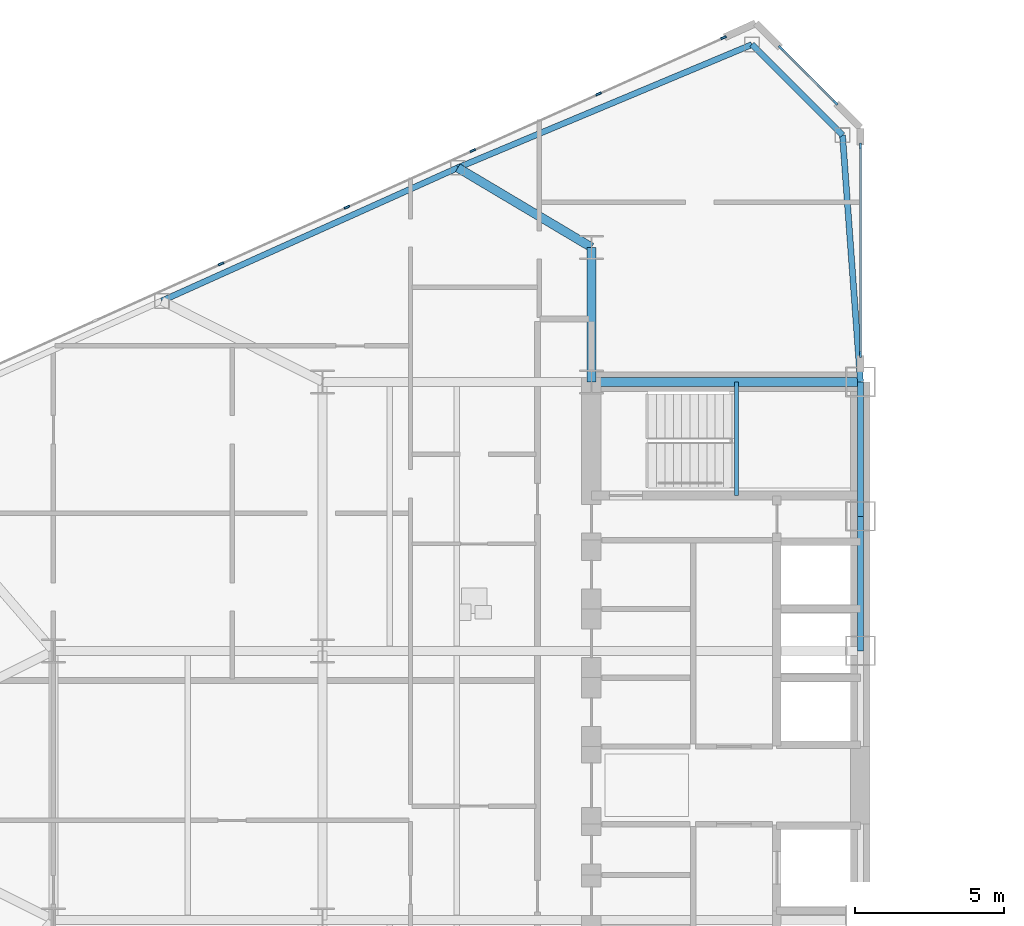
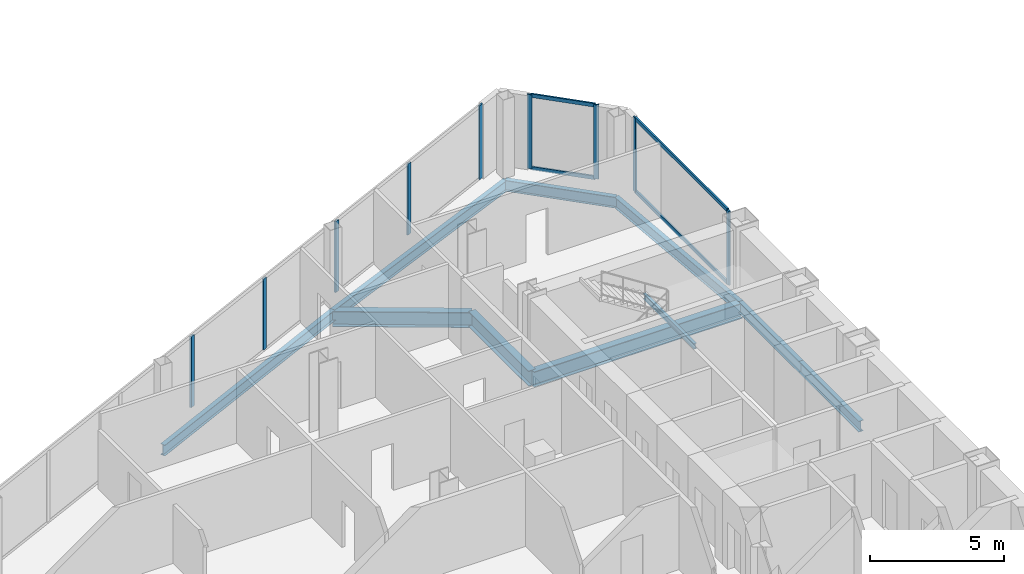
# One storey, part 9 of 27: 13 members, 10 beams, 3 elements without a shape of their own.
"""IFC4 building model written with IfcOpenShell, lengths in metres."""

from ifc_helpers import new_model, si_unit, direction, frame, origin, origin_2d, place, context, subcontext, project, spatial, rectangle, i_section, extrude, source, transform, mapped, material, layer, layer_set, material_profile, profile_set, type_object, type_shapes, element, aggregate, save


model = new_model("IFC4")

# Units and contexts
model_context = context("Model", 3, precision=1e-05, world=origin(), true_north=direction((0.0, 1.0)))
body_context = subcontext(model_context, "Body", "Model", "MODEL_VIEW")
ifc_project = project(units=[si_unit("LENGTHUNIT", "METRE"), si_unit("AREAUNIT", "SQUARE_METRE"), si_unit("VOLUMEUNIT", "CUBIC_METRE"), si_unit("PLANEANGLEUNIT", "RADIAN"), si_unit("MASSUNIT", "GRAM", prefix="KILO")], contexts=[model_context])

# Site, building, storey
site_placement = place(None, origin())
site = spatial("IfcSite", under=ifc_project, at=site_placement, CompositionType="ELEMENT")
building_placement = place(site_placement, origin())
building = spatial("IfcBuilding", under=site, at=building_placement, Name="Seokmaru Belvedere", CompositionType="ELEMENT")
storey_placement = place(building_placement, frame((0.0, 0.0, 103.199951171875)))
storey = spatial("IfcBuildingStorey", under=building, at=storey_placement, Name="L27", CompositionType="ELEMENT", Elevation=103.199951171875)

# Beams
ifc_material_1 = material(Name="Steel SM355 (355 MPa)", Category="steel")
ifc_material_profile_1 = material_profile(ifc_material_1, i_section(OverallWidth=0.199951171875, OverallDepth=0.5, WebThickness=0.010009765625, FlangeThickness=0.01611328125, at=origin_2d()), Name="H-500x200x10x16")
ifc_profile_set_1 = profile_set([ifc_material_profile_1], Name="Steel SM355 (355 MPa)")
beam_type_1 = type_object("IfcBeamType", Name="Perimeter Spandrel Beam H-500", PredefinedType="SPANDREL", material=ifc_profile_set_1)
shared_shape_1 = source(origin(), body_context, "Body", "SweptSolid", [
    extrude(i_section(OverallWidth=0.199951171875, OverallDepth=0.5, WebThickness=0.010009765625, FlangeThickness=0.01611328125, at=origin_2d()), origin(), (0.0, 0.0, 1.0), 4.5),
])
for number, where, z_axis, x_axis, name in (
    (1, (-27.5, 4.5, -0.469970703125), (0.0, 1.0, 0.0), (-1.0, 0.0, 0.0), "L27 W Portal Spine Spandrel 4"),
    (2, (-27.5, 9.0, -0.469970703125), (0.0, 1.0, 0.0), (-1.0, 0.0, 0.0), "L27 W Portal Spine Spandrel 5"),
):
    element("IfcBeam", number, at=place(storey_placement, frame(where, z_axis=z_axis, x_axis=x_axis)), inside=storey, type_object=beam_type_1, Name=name, PredefinedType="SPANDREL", context=body_context, shape_type="MappedRepresentation", body=[
        mapped(shared_shape_1, transform((0.0, 0.0, 0.0), scale=1.0)),
    ])
ifc_material_profile_2 = material_profile(ifc_material_1, i_section(OverallWidth=0.300048828125, OverallDepth=0.699951171875, WebThickness=0.012939453125, FlangeThickness=0.02392578125, at=origin_2d()), Name="H-700x300x13x24")
ifc_profile_set_2 = profile_set([ifc_material_profile_2], Name="Steel SM355 (355 MPa)")
beam_type_2 = type_object("IfcBeamType", Name="Primary Floor Girder H-700", PredefinedType="BEAM", material=ifc_profile_set_2)
shared_shape_2 = source(origin(), body_context, "Body", "SweptSolid", [
    extrude(i_section(OverallWidth=0.300048828125, OverallDepth=0.699951171875, WebThickness=0.012939453125, FlangeThickness=0.02392578125, at=origin_2d()), origin(), (0.0, 0.0, 1.0), 4.5),
])
beam_1_placement = place(storey_placement, frame((-36.5, 13.5, -0.570068359375), z_axis=(0.0, 1.0, 0.0), x_axis=(-1.0, 0.0, 0.0)))
element("IfcBeam", 3, at=beam_1_placement, inside=storey, type_object=beam_type_2, Name="L27 W Core Shoulder Girder N", PredefinedType="BEAM", context=body_context, shape_type="MappedRepresentation", body=[
    mapped(shared_shape_2, transform((0.0, 0.0, 0.0), scale=1.0)),
])
shared_shape_3 = source(origin(), body_context, "Body", "SweptSolid", [
    extrude(i_section(OverallWidth=0.300048828125, OverallDepth=0.699951171875, WebThickness=0.012939453125, FlangeThickness=0.02392578125, at=origin_2d()), origin(), (0.0, 0.0, 1.0), 9.0),
])
beam_2_placement = place(storey_placement, frame((-36.5, 13.5, -0.570068359375), z_axis=(1.0, 0.0, 0.0), x_axis=(0.0, 1.0, 0.0)))
element("IfcBeam", 4, at=beam_2_placement, inside=storey, type_object=beam_type_2, Name="L27 W Core Tie Girder 4", PredefinedType="BEAM", context=body_context, shape_type="MappedRepresentation", body=[
    mapped(shared_shape_3, transform((0.0, 0.0, 0.0), scale=1.0)),
])
shared_shape_4 = source(origin(), body_context, "Body", "SweptSolid", [
    extrude(i_section(OverallWidth=0.199951171875, OverallDepth=0.5, WebThickness=0.010009765625, FlangeThickness=0.01611328125, at=origin_2d()), origin(), (0.0, 0.0, 1.0), 10.66943359375),
])
beam_3_placement = place(storey_placement, frame((-31.13134765625, 24.782958984375, -0.469970703125), z_axis=(-0.922375393128, -0.386294750355, 0.0), x_axis=(0.386294750355, -0.922375393128, 0.0)))
element("IfcBeam", 5, at=beam_3_placement, inside=storey, type_object=beam_type_1, Name="L27 W Faceted Flank Spandrel N-1", PredefinedType="SPANDREL", context=body_context, shape_type="MappedRepresentation", body=[
    mapped(shared_shape_4, transform((0.0, 0.0, 0.0), scale=1.0)),
])
shared_shape_5 = source(origin(), body_context, "Body", "SweptSolid", [
    extrude(i_section(OverallWidth=0.199951171875, OverallDepth=0.5, WebThickness=0.010009765625, FlangeThickness=0.01611328125, at=origin_2d()), origin(), (0.0, 0.0, 1.0), 10.85888671875),
])
beam_4_placement = place(storey_placement, frame((-40.97265625, 20.661376953125, -0.469970703125), z_axis=(-0.911921505175, -0.410364677329, 0.0), x_axis=(0.410364677329, -0.911921505175, 0.0)))
element("IfcBeam", 6, at=beam_4_placement, inside=storey, type_object=beam_type_1, Name="L27 W Faceted Flank Spandrel N-2", PredefinedType="SPANDREL", context=body_context, shape_type="MappedRepresentation", body=[
    mapped(shared_shape_5, transform((0.0, 0.0, 0.0), scale=1.0)),
])
shared_shape_6 = source(origin(), body_context, "Body", "SweptSolid", [
    extrude(i_section(OverallWidth=0.199951171875, OverallDepth=0.5, WebThickness=0.010009765625, FlangeThickness=0.01611328125, at=origin_2d()), origin(), (0.0, 0.0, 1.0), 4.287109375),
])
beam_5_placement = place(storey_placement, frame((-31.13134765625, 24.782958984375, -0.469970703125), z_axis=(0.707078306132, -0.707135255094, 0.0), x_axis=(0.707135255094, 0.707078306132, 0.0)))
element("IfcBeam", 7, at=beam_5_placement, inside=storey, type_object=beam_type_1, Name="L27 W Shoulder Chamfer Spandrel N", PredefinedType="SPANDREL", context=body_context, shape_type="MappedRepresentation", body=[
    mapped(shared_shape_6, transform((0.0, 0.0, 0.0), scale=1.0)),
])
shared_shape_7 = source(origin(), body_context, "Body", "SweptSolid", [
    extrude(i_section(OverallWidth=0.199951171875, OverallDepth=0.5, WebThickness=0.010009765625, FlangeThickness=0.01611328125, at=origin_2d()), origin(), (0.0, 0.0, 1.0), 8.273193359375),
])
type_shapes(beam_type_1, [shared_shape_1, shared_shape_4, shared_shape_5, shared_shape_6, shared_shape_7])
beam_6_placement = place(storey_placement, frame((-28.10009765625, 21.75146484375, -0.469970703125), z_axis=(0.072534628348, -0.99736589459, 0.0), x_axis=(0.99736589459, 0.072534628348, 0.0)))
element("IfcBeam", 8, at=beam_6_placement, inside=storey, type_object=beam_type_1, Name="L27 W Shoulder Spine Spandrel N", PredefinedType="SPANDREL", context=body_context, shape_type="MappedRepresentation", body=[
    mapped(shared_shape_7, transform((0.0, 0.0, 0.0), scale=1.0)),
])
shared_shape_8 = source(origin(), body_context, "Body", "SweptSolid", [
    extrude(i_section(OverallWidth=0.300048828125, OverallDepth=0.699951171875, WebThickness=0.012939453125, FlangeThickness=0.02392578125, at=origin_2d()), origin(), (0.0, 0.0, 1.0), 5.20458984375),
])
type_shapes(beam_type_2, [shared_shape_2, shared_shape_3, shared_shape_8])
beam_7_placement = place(storey_placement, frame((-40.97265625, 20.661376953125, -0.570068359375), z_axis=(0.859370434188, -0.511353553662, 0.0), x_axis=(0.511353553662, 0.859370434188, 0.0)))
element("IfcBeam", 9, at=beam_7_placement, inside=storey, type_object=beam_type_2, Name="L27 W Flank Radial Floor Girder N-1", PredefinedType="BEAM", context=body_context, shape_type="MappedRepresentation", body=[
    mapped(shared_shape_8, transform((0.0, 0.0, 0.0), scale=1.0)),
])

# Curtain wall, members
ifc_material_2 = material(Name="Bronze Triple Insulating Glass", Category="glass")
ifc_layer = layer(ifc_material_2, 0.195068359375)
ifc_layer_set = layer_set([ifc_layer], Name="Bronze Triple Insulating Glass")
curtain_wall_type = type_object("IfcCurtainWallType", Name="Lower-Mid Tapered Curtain Wall System CW-3", PredefinedType="NOTDEFINED", material=ifc_layer_set)
curtain_wall_1_placement = place(storey_placement, origin())
curtain_wall_1 = element("IfcCurtainWall", 10, at=curtain_wall_1_placement, inside=storey, type_object=curtain_wall_type, Name="L27 Curtain Wall WSP_2", PredefinedType="NOTDEFINED")
ifc_material_3 = material(Name="Anodised Bronze Aluminium", Category="aluminium")
ifc_material_profile_3 = material_profile(ifc_material_3, rectangle(XDim=0.070068359375, YDim=0.1650390625, at=origin_2d()), Name="CW-T-70x165")
ifc_profile_set_3 = profile_set([ifc_material_profile_3], Name="Anodised Bronze Aluminium")
member_type_1 = type_object("IfcMemberType", Name="Bronze Unitised Transom 70x165", PredefinedType="USERDEFINED", material=ifc_profile_set_3)
shared_shape_9 = source(origin(), body_context, "Body", "SweptSolid", [
    extrude(rectangle(XDim=0.070068359375, YDim=0.1650390625, at=origin_2d()), origin(), (0.0, 0.0, 1.0), 6.91015625),
])
member_1_placement = place(storey_placement, frame((-27.5, 14.449951171875, 0.03515625), z_axis=(0.0, 1.0, 0.0), x_axis=(-1.0, 0.0, 0.0)))
member_1 = element("IfcMember", 11, at=member_1_placement, type_object=member_type_1, Name="CW:L27:WSP_2 Continuous Transom 1", ObjectType="TRANSOM", PredefinedType="USERDEFINED", context=body_context, shape_type="MappedRepresentation", body=[
    mapped(shared_shape_9, transform((0.0, 0.0, 0.0), scale=1.0)),
])
member_2_placement = place(storey_placement, frame((-27.5, 14.449951171875, 3.344970703125), z_axis=(0.0, 1.0, 0.0), x_axis=(-1.0, 0.0, 0.0)))
member_2 = element("IfcMember", 12, at=member_2_placement, type_object=member_type_1, Name="CW:L27:WSP_2 Continuous Transom 2", ObjectType="TRANSOM", PredefinedType="USERDEFINED", context=body_context, shape_type="MappedRepresentation", body=[
    mapped(shared_shape_9, transform((0.0, 0.0, 0.0), scale=1.0)),
])

curtain_wall_2_placement = place(storey_placement, origin())
curtain_wall_2 = element("IfcCurtainWall", 13, at=curtain_wall_2_placement, inside=storey, type_object=curtain_wall_type, Name="L27 Curtain Wall WF2", PredefinedType="NOTDEFINED")
shared_shape_10 = source(origin(), body_context, "Body", "SweptSolid", [
    extrude(rectangle(XDim=0.070068359375, YDim=0.1650390625, at=origin_2d()), origin(), (0.0, 0.0, 1.0), 2.509521484375),
])
type_shapes(member_type_1, [shared_shape_9, shared_shape_10])
member_3_placement = place(storey_placement, frame((-28.36279296875, 22.86279296875, 0.03515625), z_axis=(-0.707106781187, 0.707106781187, 0.0), x_axis=(-0.707106781187, -0.707106781187, 0.0)))
member_3 = element("IfcMember", 14, at=member_3_placement, type_object=member_type_1, Name="CW:L27:WF2 Continuous Transom 1", ObjectType="TRANSOM", PredefinedType="USERDEFINED", context=body_context, shape_type="MappedRepresentation", body=[
    mapped(shared_shape_10, transform((0.0, 0.0, 0.0), scale=1.0)),
])
member_4_placement = place(storey_placement, frame((-28.36279296875, 22.86279296875, 3.344970703125), z_axis=(-0.707106781187, 0.707106781187, 0.0), x_axis=(-0.707106781187, -0.707106781187, 0.0)))
member_4 = element("IfcMember", 15, at=member_4_placement, type_object=member_type_1, Name="CW:L27:WF2 Continuous Transom 2", ObjectType="TRANSOM", PredefinedType="USERDEFINED", context=body_context, shape_type="MappedRepresentation", body=[
    mapped(shared_shape_10, transform((0.0, 0.0, 0.0), scale=1.0)),
])

curtain_wall_3_placement = place(storey_placement, origin())
curtain_wall_3 = element("IfcCurtainWall", 16, at=curtain_wall_3_placement, inside=storey, type_object=curtain_wall_type, Name="L27 Curtain Wall WF3", PredefinedType="NOTDEFINED")
ifc_material_profile_4 = material_profile(ifc_material_3, rectangle(XDim=0.070068359375, YDim=0.195068359375, at=origin_2d()), Name="CW-M-70x195")
ifc_profile_set_4 = profile_set([ifc_material_profile_4], Name="Anodised Bronze Aluminium")
member_type_2 = type_object("IfcMemberType", Name="Bronze Unitised Mullion 70x195", PredefinedType="MULLION", material=ifc_profile_set_4)
shared_shape_11 = source(origin(), body_context, "Body", "SweptSolid", [
    extrude(rectangle(XDim=0.070068359375, YDim=0.195068359375, at=origin_2d()), origin(), (0.0, 0.0, 1.0), 3.239990234375),
])
member_5_placement = place(storey_placement, frame((-36.260009765625, 23.133056640625, 0.070068359375), z_axis=(0.0, 0.0, 1.0), x_axis=(0.41036554765, -0.91192111353, 0.0)))
member_5 = element("IfcMember", 17, at=member_5_placement, type_object=member_type_2, Name="CW:L27:WF3 Mullion 2", PredefinedType="MULLION", context=body_context, shape_type="MappedRepresentation", body=[
    mapped(shared_shape_11, transform((0.0, 0.0, 0.0), scale=1.0)),
])
member_6_placement = place(storey_placement, frame((-40.471435546875, 21.23779296875, 0.070068359375), z_axis=(0.0, 0.0, 1.0), x_axis=(0.41036554765, -0.91192111353, 0.0)))
member_6 = element("IfcMember", 18, at=member_6_placement, type_object=member_type_2, Name="CW:L27:WF3 Mullion 3", PredefinedType="MULLION", context=body_context, shape_type="MappedRepresentation", body=[
    mapped(shared_shape_11, transform((0.0, 0.0, 0.0), scale=1.0)),
])
member_7_placement = place(storey_placement, frame((-44.682861328125, 19.3427734375, 0.070068359375), z_axis=(0.0, 0.0, 1.0), x_axis=(0.41036554765, -0.91192111353, 0.0)))
member_7 = element("IfcMember", 19, at=member_7_placement, type_object=member_type_2, Name="CW:L27:WF3 Mullion 4", PredefinedType="MULLION", context=body_context, shape_type="MappedRepresentation", body=[
    mapped(shared_shape_11, transform((0.0, 0.0, 0.0), scale=1.0)),
])
member_8_placement = place(storey_placement, frame((-48.894287109375, 17.447509765625, 0.070068359375), z_axis=(0.0, 0.0, 1.0), x_axis=(0.41036554765, -0.91192111353, 0.0)))
member_8 = element("IfcMember", 20, at=member_8_placement, type_object=member_type_2, Name="CW:L27:WF3 Mullion 5", PredefinedType="MULLION", context=body_context, shape_type="MappedRepresentation", body=[
    mapped(shared_shape_11, transform((0.0, 0.0, 0.0), scale=1.0)),
])

# Member
shared_shape_12 = source(origin(), body_context, "Body", "SweptSolid", [
    extrude(rectangle(XDim=0.070068359375, YDim=0.195068359375, at=origin_2d()), origin(), (0.0, 0.0, 1.0), 3.380126953125),
])
type_shapes(member_type_2, [shared_shape_11, shared_shape_12])
member_9_placement = place(storey_placement, frame((-27.5, 14.4150390625, 0.0), z_axis=(0.0, 0.0, 1.0), x_axis=(-1.0, 0.0, 0.0)))
member_9 = element("IfcMember", 21, at=member_9_placement, type_object=member_type_2, Name="CW:L27:WSP_2 Mullion 1", PredefinedType="MULLION", context=body_context, shape_type="MappedRepresentation", body=[
    mapped(shared_shape_12, transform((0.0, 0.0, 0.0), scale=1.0)),
])

member_10_placement = place(storey_placement, frame((-27.5, 21.39501953125, 0.0), z_axis=(0.0, 0.0, 1.0), x_axis=(-1.0, 0.0, 0.0)))
member_10 = element("IfcMember", 22, at=member_10_placement, type_object=member_type_2, Name="CW:L27:WSP_2 Mullion 2", PredefinedType="MULLION", context=body_context, shape_type="MappedRepresentation", body=[
    mapped(shared_shape_12, transform((0.0, 0.0, 0.0), scale=1.0)),
])

aggregate(curtain_wall_1, [member_9, member_10, member_1, member_2])

member_11_placement = place(storey_placement, frame((-28.337890625, 22.837890625, 0.0), z_axis=(0.0, 0.0, 1.0), x_axis=(-0.707106781187, -0.707106781187, 0.0)))
member_11 = element("IfcMember", 23, at=member_11_placement, type_object=member_type_2, Name="CW:L27:WF2 Mullion 1", PredefinedType="MULLION", context=body_context, shape_type="MappedRepresentation", body=[
    mapped(shared_shape_12, transform((0.0, 0.0, 0.0), scale=1.0)),
])

member_12_placement = place(storey_placement, frame((-30.162109375, 24.662109375, 0.0), z_axis=(0.0, 0.0, 1.0), x_axis=(-0.707106781187, -0.707106781187, 0.0)))
member_12 = element("IfcMember", 24, at=member_12_placement, type_object=member_type_2, Name="CW:L27:WF2 Mullion 2", PredefinedType="MULLION", context=body_context, shape_type="MappedRepresentation", body=[
    mapped(shared_shape_12, transform((0.0, 0.0, 0.0), scale=1.0)),
])

aggregate(curtain_wall_2, [member_11, member_12, member_3, member_4])

member_13_placement = place(storey_placement, frame((-32.08056640625, 25.013671875, 0.0), z_axis=(0.0, 0.0, 1.0), x_axis=(0.41036554765, -0.91192111353, 0.0)))
member_13 = element("IfcMember", 25, at=member_13_placement, type_object=member_type_2, Name="CW:L27:WF3 Mullion 1", PredefinedType="MULLION", context=body_context, shape_type="MappedRepresentation", body=[
    mapped(shared_shape_12, transform((0.0, 0.0, 0.0), scale=1.0)),
])

aggregate(curtain_wall_3, [member_13, member_5, member_6, member_7, member_8])

# Beam
ifc_material_profile_5 = material_profile(ifc_material_1, i_section(OverallWidth=0.125, OverallDepth=0.25, WebThickness=0.006103515625, FlangeThickness=0.009033203125, at=origin_2d()), Name="H-250x125x6x9")
ifc_profile_set_5 = profile_set([ifc_material_profile_5], Name="Steel SM355 (355 MPa)")
beam_type_3 = type_object("IfcBeamType", Name="Stair Mid-Landing Support Beam H-250", PredefinedType="JOIST", material=ifc_profile_set_5)
shared_shape_13 = source(origin(), body_context, "Body", "SweptSolid", [
    extrude(i_section(OverallWidth=0.125, OverallDepth=0.25, WebThickness=0.006103515625, FlangeThickness=0.009033203125, at=origin_2d()), origin(), (0.0, 0.0, 1.0), 3.800048828125),
])
type_shapes(beam_type_3, [shared_shape_13])
beam_8_placement = place(storey_placement, frame((-31.64990234375, 9.699951171875, 1.47509765625), z_axis=(0.0, 1.0, 0.0), x_axis=(-1.0, 0.0, 0.0)))
element("IfcBeam", 26, at=beam_8_placement, inside=storey, type_object=beam_type_3, Name="L27 Stair ST-W2 Mid-Landing Support Beam 1", PredefinedType="JOIST", context=body_context, shape_type="MappedRepresentation", body=[
    mapped(shared_shape_13, transform((0.0, 0.0, 0.0), scale=1.0)),
])

save(model, "model.ifc")
